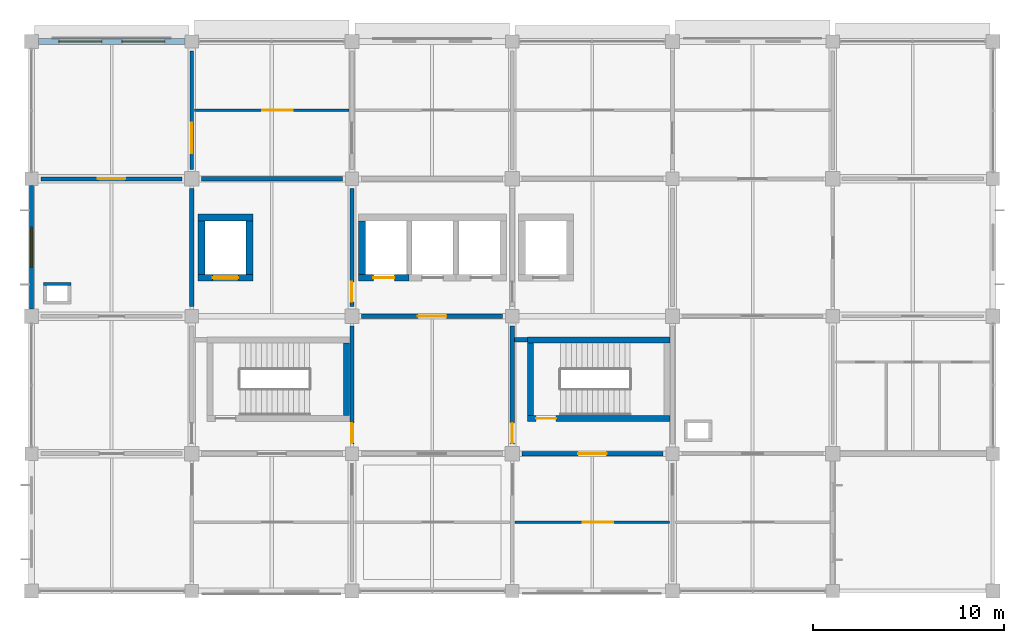
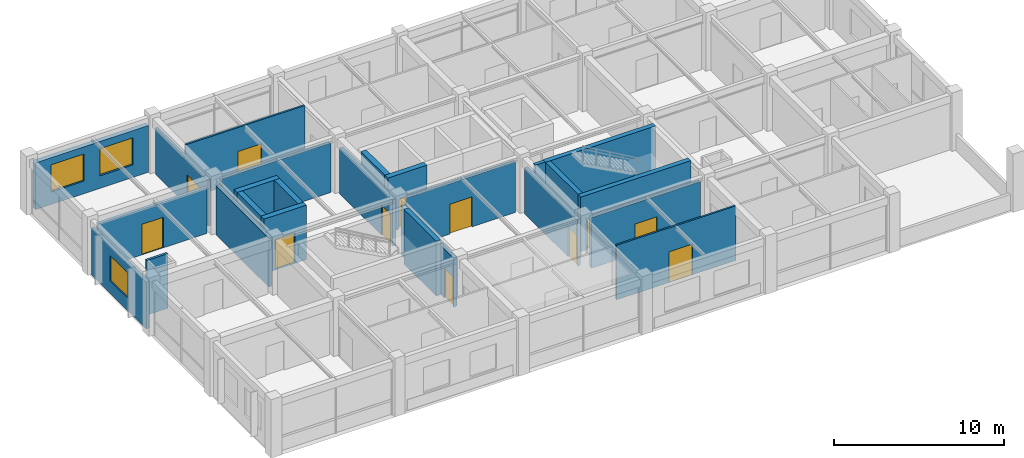
# One storey, part 9 of 14: 25 walls, 12 doors, 3 windows, 15 openings.
"""IFC4 building model written with IfcOpenShell, lengths in metres."""

from ifc_helpers import new_model, si_unit, derived_unit, direction, frame, frame_2d, origin, place, context, subcontext, project, spatial, rectangle, extrude, material, layer, layer_set, type_object, element, fill, save


model = new_model("IFC4")

# Units and contexts
model_context = context("Model", 3, precision=1e-05, world=origin(), true_north=direction((0.0, 1.0)))
body_context = subcontext(model_context, "Body", "Model", "MODEL_VIEW")
ifc_project = project(units=[si_unit("LENGTHUNIT", "METRE"), si_unit("AREAUNIT", "SQUARE_METRE"), si_unit("VOLUMEUNIT", "CUBIC_METRE"), si_unit("PLANEANGLEUNIT", "RADIAN"), si_unit("MASSUNIT", "GRAM", prefix="KILO"), derived_unit("THERMALTRANSMITTANCEUNIT", [(si_unit("MASSUNIT", "GRAM", prefix="KILO"), 1), (si_unit("TIMEUNIT", "SECOND"), -3), (si_unit("THERMODYNAMICTEMPERATUREUNIT", "KELVIN"), -1)])], contexts=[model_context])

# Site, building, storey
site_placement = place(None, origin())
site = spatial("IfcSite", under=ifc_project, at=site_placement, CompositionType="ELEMENT")
building_placement = place(site_placement, origin())
building = spatial("IfcBuilding", under=site, at=building_placement, Name="Veldstrom Oceanarium and Marine Research Institute", CompositionType="ELEMENT")
storey_placement = place(building_placement, frame((0.0, 0.0, 35.39990234375)))
storey = spatial("IfcBuildingStorey", under=building, at=storey_placement, Name="L07", CompositionType="ELEMENT", Elevation=35.39990234375)

# Wall, openings, windows
ifc_material_1 = material(Name="Masonry Cavity Wall", Category="masonry")
ifc_layer_1 = layer(ifc_material_1, 0.31005859375)
ifc_layer_set_1 = layer_set([ifc_layer_1], Name="ARC-WAL-EW1")
wall_type_1 = type_object("IfcWallType", Name="ARC-WAL-EW1", PredefinedType="SOLIDWALL", material=ifc_layer_set_1)
wall_1_placement = place(storey_placement, frame((67.574951171875, 72.0, 0.0), z_axis=(0.0, 0.0, 1.0), x_axis=(1.0, 0.0, 0.0)))
wall_1 = element("IfcWall", 1, at=wall_1_placement, inside=storey, type_object=wall_type_1, Name="Exterior Facade Wall EW1 L07-196", PredefinedType="SOLIDWALL", context=body_context, shape_type="SweptSolid", body=[
    extrude(rectangle(XDim=7.675048828125, YDim=0.31005859375, at=frame_2d((3.83740234375, 0.0))), origin(), (0.0, 0.0, 1.0), 3.364990234375),
])
opening_1_placement = place(wall_1_placement, frame((1.058349609375, 0.0, 0.89990234375)))
opening_1 = element("IfcOpeningElement", 2, at=opening_1_placement, cuts=wall_1, Name="Opening W21", PredefinedType="OPENING", context=body_context, shape_type="SweptSolid", body=[
    extrude(rectangle(XDim=2.25, YDim=1.949951171875, at=frame_2d((1.125, 0.97509765625))), frame((0.0, 0.1650390625, 0.0), z_axis=(0.0, -1.0, 0.0), x_axis=(1.0, 0.0, 0.0)), (0.0, 0.0, 1.0), 0.330078125),
])
opening_2_placement = place(wall_1_placement, frame((4.36669921875, 0.0, 0.89990234375)))
opening_2 = element("IfcOpeningElement", 3, at=opening_2_placement, cuts=wall_1, Name="Opening W21", PredefinedType="OPENING", context=body_context, shape_type="SweptSolid", body=[
    extrude(rectangle(XDim=2.25, YDim=1.949951171875, at=frame_2d((1.125, 0.97509765625))), frame((0.0, 0.1650390625, 0.0), z_axis=(0.0, -1.0, 0.0), x_axis=(1.0, 0.0, 0.0)), (0.0, 0.0, 1.0), 0.330078125),
])
ifc_material_2 = material(Name="Double Glazed Low-E IGU", Category="glass")
window_type_1 = type_object("IfcWindowType", Name="ARC-WIN-W21", PartitioningType="SINGLE_PANEL", PredefinedType="WINDOW", material=ifc_material_2)
window_1_placement = place(opening_1_placement, origin())
window_1 = element("IfcWindow", 4, at=window_1_placement, inside=storey, type_object=window_type_1, Name="Facade Window W21 L07-0163", OverallHeight=1.949951171875, OverallWidth=2.25, PartitioningType="SINGLE_PANEL", PredefinedType="WINDOW", context=body_context, shape_type="SweptSolid", body=[
    extrude(rectangle(XDim=2.25, YDim=1.949951171875, at=frame_2d((1.125, 0.97509765625))), frame((0.0, 0.030029296875, 0.0), z_axis=(0.0, -1.0, 0.0), x_axis=(1.0, 0.0, 0.0)), (0.0, 0.0, 1.0), 0.06005859375),
])
fill(opening_1, window_1)
window_2_placement = place(opening_2_placement, origin())
window_2 = element("IfcWindow", 5, at=window_2_placement, inside=storey, type_object=window_type_1, Name="Facade Window W21 L07-0164", OverallHeight=1.949951171875, OverallWidth=2.25, PartitioningType="SINGLE_PANEL", PredefinedType="WINDOW", context=body_context, shape_type="SweptSolid", body=[
    extrude(rectangle(XDim=2.25, YDim=1.949951171875, at=frame_2d((1.125, 0.97509765625))), frame((0.0, 0.030029296875, 0.0), z_axis=(0.0, -1.0, 0.0), x_axis=(1.0, 0.0, 0.0)), (0.0, 0.0, 1.0), 0.06005859375),
])
fill(opening_2, window_2)

# Wall, opening, window
ifc_material_3 = material(Name="Masonry Cavity Wall", Category="masonry")
ifc_layer_2 = layer(ifc_material_3, 0.215087890625)
ifc_layer_set_2 = layer_set([ifc_layer_2], Name="ARC-WAL-EW6")
wall_type_2 = type_object("IfcWallType", Name="ARC-WAL-EW6", PredefinedType="SOLIDWALL", material=ifc_layer_set_2)
wall_2_placement = place(storey_placement, frame((67.199951171875, 57.97509765625, 0.0), z_axis=(0.0, 0.0, 1.0), x_axis=(0.0, 1.0, 0.0)))
wall_2 = element("IfcWall", 6, at=wall_2_placement, inside=storey, type_object=wall_type_2, Name="Exterior Facade Wall EW6 L07-195", PredefinedType="SOLIDWALL", context=body_context, shape_type="SweptSolid", body=[
    extrude(rectangle(XDim=6.474853515625, YDim=0.215087890625, at=frame_2d((3.2373046875, 0.0))), origin(), (0.0, 0.0, 1.0), 3.364990234375),
])
opening_3_placement = place(wall_2_placement, frame((2.1875, 0.0, 0.89990234375)))
opening_3 = element("IfcOpeningElement", 7, at=opening_3_placement, cuts=wall_2, Name="Opening W02", PredefinedType="OPENING", context=body_context, shape_type="SweptSolid", body=[
    extrude(rectangle(XDim=2.10009765625, YDim=1.800048828125, at=frame_2d((1.050048828125, 0.89990234375))), frame((0.0, 0.117431640625, 0.0), z_axis=(0.0, -1.0, 0.0), x_axis=(1.0, 0.0, 0.0)), (0.0, 0.0, 1.0), 0.235107421875),
])
ifc_material_4 = material(Name="Double Glazed Low-E IGU", Category="glass")
window_type_2 = type_object("IfcWindowType", Name="ARC-WIN-W02", PartitioningType="SINGLE_PANEL", PredefinedType="WINDOW", material=ifc_material_4)
window_3_placement = place(opening_3_placement, origin())
window_3 = element("IfcWindow", 8, at=window_3_placement, inside=storey, type_object=window_type_2, Name="Facade Window W02 L07-0162", OverallHeight=1.800048828125, OverallWidth=2.10009765625, PartitioningType="SINGLE_PANEL", PredefinedType="WINDOW", context=body_context, shape_type="SweptSolid", body=[
    extrude(rectangle(XDim=2.10009765625, YDim=1.800048828125, at=frame_2d((1.050048828125, 0.89990234375))), frame((0.0, 0.030029296875, 0.0), z_axis=(0.0, -1.0, 0.0), x_axis=(1.0, 0.0, 0.0)), (0.0, 0.0, 1.0), 0.06005859375),
])
fill(opening_3, window_3)

# Wall
ifc_material_5 = material(Name="Masonry Fire Compartment Wall", Category="masonry")
ifc_layer_3 = layer(ifc_material_5, 0.22998046875)
ifc_layer_set_3 = layer_set([ifc_layer_3], Name="ARC-WAL-PT1")
wall_type_3 = type_object("IfcWallType", Name="ARC-WAL-PT1", PredefinedType="PARTITIONING", material=ifc_layer_set_3)
wall_3_placement = place(storey_placement, frame((75.60009765625, 58.10009765625, 0.0), z_axis=(0.0, 0.0, 1.0), x_axis=(0.0, 1.0, 0.0)))
element("IfcWall", 9, at=wall_3_placement, inside=storey, type_object=wall_type_3, Name="Interior Partition PT1 L07-1523", PredefinedType="PARTITIONING", context=body_context, shape_type="SweptSolid", body=[
    extrude(rectangle(XDim=6.199951171875, YDim=0.22998046875, at=frame_2d((3.10009765625, 0.0))), origin(), (0.0, 0.0, 1.0), 3.51513671875),
])

# Wall, opening, door
wall_4_placement = place(storey_placement, frame((84.0, 50.89990234375, 0.0), z_axis=(0.0, 0.0, 1.0), x_axis=(0.0, 1.0, 0.0)))
wall_4 = element("IfcWall", 10, at=wall_4_placement, inside=storey, type_object=wall_type_3, Name="Interior Partition PT1 L07-1528", PredefinedType="PARTITIONING", context=body_context, shape_type="SweptSolid", body=[
    extrude(rectangle(XDim=6.2001953125, YDim=0.22998046875, at=frame_2d((3.10009765625, 0.0))), origin(), (0.0, 0.0, 1.0), 3.51513671875),
])
opening_4_placement = place(wall_4_placement, frame((0.050048828125, 0.0, 0.0)))
opening_4 = element("IfcOpeningElement", 11, at=opening_4_placement, cuts=wall_4, Name="Opening D-L07-921", PredefinedType="OPENING", context=body_context, shape_type="SweptSolid", body=[
    extrude(rectangle(XDim=1.050048828125, YDim=2.14990234375, at=frame_2d((0.52490234375, 1.074951171875))), frame((0.0, 0.125, 0.0), z_axis=(0.0, -1.0, 0.0), x_axis=(1.0, 0.0, 0.0)), (0.0, 0.0, 1.0), 0.25),
])
ifc_material_6 = material(Name="Painted Steel Fire Door", Category="steel")
door_type_1 = type_object("IfcDoorType", Name="ARC-DOR-SD1", OperationType="SINGLE_SWING_LEFT", PredefinedType="DOOR", material=ifc_material_6)
door_1_placement = place(opening_4_placement, origin())
door_1 = element("IfcDoor", 12, at=door_1_placement, inside=storey, type_object=door_type_1, Name="Interior Door D-L07-921", OperationType="SINGLE_SWING_LEFT", OverallHeight=2.14990234375, OverallWidth=1.050048828125, PredefinedType="DOOR", context=body_context, shape_type="SweptSolid", body=[
    extrude(rectangle(XDim=1.050048828125, YDim=2.14990234375, at=frame_2d((0.52490234375, 1.074951171875))), frame((0.0, 0.02490234375, 0.0), z_axis=(0.0, -1.0, 0.0), x_axis=(1.0, 0.0, 0.0)), (0.0, 0.0, 1.0), 0.050048828125),
])
fill(opening_4, door_1)

wall_5_placement = place(storey_placement, frame((84.0, 58.10009765625, 0.0), z_axis=(0.0, 0.0, 1.0), x_axis=(0.0, 1.0, 0.0)))
wall_5 = element("IfcWall", 13, at=wall_5_placement, inside=storey, type_object=wall_type_3, Name="Interior Partition PT1 L07-1530", PredefinedType="PARTITIONING", context=body_context, shape_type="SweptSolid", body=[
    extrude(rectangle(XDim=6.199951171875, YDim=0.22998046875, at=frame_2d((3.10009765625, 0.0))), origin(), (0.0, 0.0, 1.0), 3.315185546875),
])
opening_5_placement = place(wall_5_placement, frame((0.25, 0.0, 0.0)))
opening_5 = element("IfcOpeningElement", 14, at=opening_5_placement, cuts=wall_5, Name="Opening D-L07-922", PredefinedType="OPENING", context=body_context, shape_type="SweptSolid", body=[
    extrude(rectangle(XDim=1.050048828125, YDim=2.14990234375, at=frame_2d((0.52490234375, 1.074951171875))), frame((0.0, 0.125, 0.0), z_axis=(0.0, -1.0, 0.0), x_axis=(1.0, 0.0, 0.0)), (0.0, 0.0, 1.0), 0.25),
])
door_2_placement = place(opening_5_placement, frame((1.050048828125, 0.0, 0.0), z_axis=(0.0, 0.0, 1.0), x_axis=(-1.0, 0.0, 0.0)))
door_2 = element("IfcDoor", 15, at=door_2_placement, inside=storey, type_object=door_type_1, Name="Interior Door D-L07-922", OperationType="SINGLE_SWING_RIGHT", OverallHeight=2.14990234375, OverallWidth=1.050048828125, PredefinedType="DOOR", context=body_context, shape_type="SweptSolid", body=[
    extrude(rectangle(XDim=1.050048828125, YDim=2.14990234375, at=frame_2d((0.52490234375, 1.074951171875))), frame((0.0, 0.02490234375, 0.0), z_axis=(0.0, -1.0, 0.0), x_axis=(1.0, 0.0, 0.0)), (0.0, 0.0, 1.0), 0.050048828125),
])
fill(opening_5, door_2)

# Wall
wall_6_placement = place(storey_placement, frame((76.10009765625, 64.800048828125, 0.0), z_axis=(0.0, 0.0, 1.0), x_axis=(1.0, 0.0, 0.0)))
element("IfcWall", 16, at=wall_6_placement, inside=storey, type_object=wall_type_3, Name="Interior Partition PT1 L07-1531", PredefinedType="PARTITIONING", context=body_context, shape_type="SweptSolid", body=[
    extrude(rectangle(XDim=7.39990234375, YDim=0.22998046875, at=frame_2d((3.699951171875, 0.0))), origin(), (0.0, 0.0, 1.0), 3.565185546875),
])

# Wall, opening, door
wall_7_placement = place(storey_placement, frame((92.39990234375, 50.89990234375, 0.0), z_axis=(0.0, 0.0, 1.0), x_axis=(0.0, 1.0, 0.0)))
wall_7 = element("IfcWall", 17, at=wall_7_placement, inside=storey, type_object=wall_type_3, Name="Interior Partition PT1 L07-1535", PredefinedType="PARTITIONING", context=body_context, shape_type="SweptSolid", body=[
    extrude(rectangle(XDim=6.2001953125, YDim=0.22998046875, at=frame_2d((3.10009765625, 0.0))), origin(), (0.0, 0.0, 1.0), 3.315185546875),
])
opening_6_placement = place(wall_7_placement, frame((0.050048828125, 0.0, 0.0)))
opening_6 = element("IfcOpeningElement", 18, at=opening_6_placement, cuts=wall_7, Name="Opening D-L07-926", PredefinedType="OPENING", context=body_context, shape_type="SweptSolid", body=[
    extrude(rectangle(XDim=1.050048828125, YDim=2.14990234375, at=frame_2d((0.52490234375, 1.074951171875))), frame((0.0, 0.125, 0.0), z_axis=(0.0, -1.0, 0.0), x_axis=(1.0, 0.0, 0.0)), (0.0, 0.0, 1.0), 0.25),
])
door_3_placement = place(opening_6_placement, frame((1.050048828125, 0.0, 0.0), z_axis=(0.0, 0.0, 1.0), x_axis=(-1.0, 0.0, 0.0)))
door_3 = element("IfcDoor", 19, at=door_3_placement, inside=storey, type_object=door_type_1, Name="Interior Door D-L07-926", OperationType="SINGLE_SWING_RIGHT", OverallHeight=2.14990234375, OverallWidth=1.050048828125, PredefinedType="DOOR", context=body_context, shape_type="SweptSolid", body=[
    extrude(rectangle(XDim=1.050048828125, YDim=2.14990234375, at=frame_2d((0.52490234375, 1.074951171875))), frame((0.0, 0.02490234375, 0.0), z_axis=(0.0, -1.0, 0.0), x_axis=(1.0, 0.0, 0.0)), (0.0, 0.0, 1.0), 0.050048828125),
])
fill(opening_6, door_3)

wall_8_placement = place(storey_placement, frame((84.5, 57.60009765625, 0.0), z_axis=(0.0, 0.0, 1.0), x_axis=(1.0, 0.0, 0.0)))
wall_8 = element("IfcWall", 20, at=wall_8_placement, inside=storey, type_object=wall_type_3, Name="Interior Partition PT1 L07-1536", PredefinedType="PARTITIONING", context=body_context, shape_type="SweptSolid", body=[
    extrude(rectangle(XDim=7.39990234375, YDim=0.22998046875, at=frame_2d((3.699951171875, 0.0))), origin(), (0.0, 0.0, 1.0), 3.625),
])
opening_7_placement = place(wall_8_placement, frame((2.949951171875, 0.0, 0.0)))
opening_7 = element("IfcOpeningElement", 21, at=opening_7_placement, cuts=wall_8, Name="Opening D-L07-927", PredefinedType="OPENING", context=body_context, shape_type="SweptSolid", body=[
    extrude(rectangle(XDim=1.5, YDim=2.14990234375, at=frame_2d((0.75, 1.074951171875))), frame((0.0, 0.125, 0.0), z_axis=(0.0, -1.0, 0.0), x_axis=(1.0, 0.0, 0.0)), (0.0, 0.0, 1.0), 0.25),
])
ifc_material_7 = material(Name="Painted Steel Lobby Fire Door", Category="steel")
door_type_2 = type_object("IfcDoorType", Name="ARC-DOR-SD2", OperationType="DOUBLE_DOOR_SINGLE_SWING", PredefinedType="DOOR", material=ifc_material_7)
door_4_placement = place(opening_7_placement, origin())
door_4 = element("IfcDoor", 22, at=door_4_placement, inside=storey, type_object=door_type_2, Name="Interior Door D-L07-927", OperationType="DOUBLE_DOOR_SINGLE_SWING", OverallHeight=2.14990234375, OverallWidth=1.5, PredefinedType="DOOR", context=body_context, shape_type="SweptSolid", body=[
    extrude(rectangle(XDim=1.5, YDim=2.14990234375, at=frame_2d((0.75, 1.074951171875))), frame((0.0, 0.02490234375, 0.0), z_axis=(0.0, -1.0, 0.0), x_axis=(1.0, 0.0, 0.0)), (0.0, 0.0, 1.0), 0.050048828125),
])
fill(opening_7, door_4)

wall_9_placement = place(storey_placement, frame((92.89990234375, 50.39990234375, 0.0), z_axis=(0.0, 0.0, 1.0), x_axis=(1.0, 0.0, 0.0)))
wall_9 = element("IfcWall", 23, at=wall_9_placement, inside=storey, type_object=wall_type_3, Name="Interior Partition PT1 L07-1541", PredefinedType="PARTITIONING", context=body_context, shape_type="SweptSolid", body=[
    extrude(rectangle(XDim=7.400146484375, YDim=0.22998046875, at=frame_2d((3.7001953125, 0.0))), origin(), (0.0, 0.0, 1.0), 3.64501953125),
])
opening_8_placement = place(wall_9_placement, frame((2.949951171875, 0.0, 0.0)))
opening_8 = element("IfcOpeningElement", 24, at=opening_8_placement, cuts=wall_9, Name="Opening D-L07-930", PredefinedType="OPENING", context=body_context, shape_type="SweptSolid", body=[
    extrude(rectangle(XDim=1.5, YDim=2.14990234375, at=frame_2d((0.75, 1.074951171875))), frame((0.0, 0.125, 0.0), z_axis=(0.0, -1.0, 0.0), x_axis=(1.0, 0.0, 0.0)), (0.0, 0.0, 1.0), 0.25),
])
door_5_placement = place(opening_8_placement, frame((1.5, 0.0, 0.0), z_axis=(0.0, 0.0, 1.0), x_axis=(-1.0, 0.0, 0.0)))
door_5 = element("IfcDoor", 25, at=door_5_placement, inside=storey, type_object=door_type_2, Name="Interior Door D-L07-930", OperationType="DOUBLE_DOOR_SINGLE_SWING", OverallHeight=2.14990234375, OverallWidth=1.5, PredefinedType="DOOR", context=body_context, shape_type="SweptSolid", body=[
    extrude(rectangle(XDim=1.5, YDim=2.14990234375, at=frame_2d((0.75, 1.074951171875))), frame((0.0, 0.02490234375, 0.0), z_axis=(0.0, -1.0, 0.0), x_axis=(1.0, 0.0, 0.0)), (0.0, 0.0, 1.0), 0.050048828125),
])
fill(opening_8, door_5)

# Wall
wall_10_placement = place(storey_placement, frame((92.52001953125, 56.360107421875, 0.0), z_axis=(0.0, 0.0, 1.0), x_axis=(1.0, 0.0, 0.0)))
element("IfcWall", 26, at=wall_10_placement, inside=storey, type_object=wall_type_3, Name="Interior Partition PT1 L07-1543", PredefinedType="PARTITIONING", context=body_context, shape_type="SweptSolid", body=[
    extrude(rectangle(XDim=0.679931640625, YDim=0.22998046875, at=frame_2d((0.33984375, 0.0))), origin(), (0.0, 0.0, 1.0), 3.920166015625),
])

# Wall, opening, door
ifc_material_8 = material(Name="Gypsum Acoustic Lab Partition", Category="gypsum")
ifc_layer_4 = layer(ifc_material_8, 0.1201171875)
ifc_layer_set_4 = layer_set([ifc_layer_4], Name="ARC-WAL-PT10")
wall_type_4 = type_object("IfcWallType", Name="ARC-WAL-PT10", PredefinedType="PARTITIONING", material=ifc_layer_set_4)
wall_11_placement = place(storey_placement, frame((92.550048828125, 46.800048828125, 0.0), z_axis=(0.0, 0.0, 1.0), x_axis=(1.0, 0.0, 0.0)))
wall_11 = element("IfcWall", 27, at=wall_11_placement, inside=storey, type_object=wall_type_4, Name="Laboratory Suite Partition L07-11/6", PredefinedType="PARTITIONING", context=body_context, shape_type="SweptSolid", body=[
    extrude(rectangle(XDim=8.099853515625, YDim=0.1201171875, at=frame_2d((4.0498046875, 0.0))), origin(), (0.0, 0.0, 1.0), 3.920166015625),
])
opening_9_placement = place(wall_11_placement, frame((3.550048828125, 0.0, 0.0)))
opening_9 = element("IfcOpeningElement", 28, at=opening_9_placement, cuts=wall_11, Name="Opening D-L07-S907", PredefinedType="OPENING", context=body_context, shape_type="SweptSolid", body=[
    extrude(rectangle(XDim=1.60009765625, YDim=2.199951171875, at=frame_2d((0.800048828125, 1.10009765625))), frame((0.0, 0.070068359375, 0.0), z_axis=(0.0, -1.0, 0.0), x_axis=(1.0, 0.0, 0.0)), (0.0, 0.0, 1.0), 0.14013671875),
])
ifc_material_9 = material(Name="Acoustic Timber Corridor Door", Category="wood")
door_type_3 = type_object("IfcDoorType", Name="ARC-DOR-ID02", OperationType="DOUBLE_DOOR_SINGLE_SWING", PredefinedType="DOOR", material=ifc_material_9)
door_6_placement = place(opening_9_placement, frame((1.60009765625, 0.0, 0.0), z_axis=(0.0, 0.0, 1.0), x_axis=(-1.0, 0.0, 0.0)))
door_6 = element("IfcDoor", 29, at=door_6_placement, inside=storey, type_object=door_type_3, Name="Suite Interior Door D-L07-S907", OperationType="SINGLE_SWING_RIGHT", OverallHeight=2.199951171875, OverallWidth=1.60009765625, PredefinedType="DOOR", context=body_context, shape_type="SweptSolid", body=[
    extrude(rectangle(XDim=1.60009765625, YDim=2.199951171875, at=frame_2d((0.800048828125, 1.10009765625))), frame((0.0, 0.02490234375, 0.0), z_axis=(0.0, -1.0, 0.0), x_axis=(1.0, 0.0, 0.0)), (0.0, 0.0, 1.0), 0.050048828125),
])
fill(opening_9, door_6)

wall_12_placement = place(storey_placement, frame((75.75, 68.39990234375, 0.0), z_axis=(0.0, 0.0, 1.0), x_axis=(1.0, 0.0, 0.0)))
wall_12 = element("IfcWall", 30, at=wall_12_placement, inside=storey, type_object=wall_type_4, Name="Laboratory Suite Partition L07-9/9", PredefinedType="PARTITIONING", context=body_context, shape_type="SweptSolid", body=[
    extrude(rectangle(XDim=8.10009765625, YDim=0.1201171875, at=frame_2d((4.050048828125, 0.0))), origin(), (0.0, 0.0, 1.0), 3.920166015625),
])
opening_10_placement = place(wall_12_placement, frame((3.550048828125, 0.0, 0.0)))
opening_10 = element("IfcOpeningElement", 31, at=opening_10_placement, cuts=wall_12, Name="Opening D-L07-S909", PredefinedType="OPENING", context=body_context, shape_type="SweptSolid", body=[
    extrude(rectangle(XDim=1.60009765625, YDim=2.199951171875, at=frame_2d((0.800048828125, 1.10009765625))), frame((0.0, 0.070068359375, 0.0), z_axis=(0.0, -1.0, 0.0), x_axis=(1.0, 0.0, 0.0)), (0.0, 0.0, 1.0), 0.14013671875),
])
door_7_placement = place(opening_10_placement, origin())
door_7 = element("IfcDoor", 32, at=door_7_placement, inside=storey, type_object=door_type_3, Name="Suite Interior Door D-L07-S909", OperationType="SINGLE_SWING_LEFT", OverallHeight=2.199951171875, OverallWidth=1.60009765625, PredefinedType="DOOR", context=body_context, shape_type="SweptSolid", body=[
    extrude(rectangle(XDim=1.60009765625, YDim=2.199951171875, at=frame_2d((0.800048828125, 1.10009765625))), frame((0.0, 0.02490234375, 0.0), z_axis=(0.0, -1.0, 0.0), x_axis=(1.0, 0.0, 0.0)), (0.0, 0.0, 1.0), 0.050048828125),
])
fill(opening_10, door_7)

ifc_material_10 = material(Name="Masonry Acoustic Lab Partition", Category="masonry")
ifc_layer_5 = layer(ifc_material_10, 0.205078125)
ifc_layer_set_5 = layer_set([ifc_layer_5], Name="ARC-WAL-PT2")
wall_type_5 = type_object("IfcWallType", Name="ARC-WAL-PT2", PredefinedType="PARTITIONING", material=ifc_layer_set_5)
wall_13_placement = place(storey_placement, frame((67.699951171875, 64.800048828125, 0.0), z_axis=(0.0, 0.0, 1.0), x_axis=(1.0, 0.0, 0.0)))
wall_13 = element("IfcWall", 33, at=wall_13_placement, inside=storey, type_object=wall_type_5, Name="Interior Partition PT2 L07-1524", PredefinedType="PARTITIONING", context=body_context, shape_type="SweptSolid", body=[
    extrude(rectangle(XDim=7.400146484375, YDim=0.205078125, at=frame_2d((3.7001953125, 0.0))), origin(), (0.0, 0.0, 1.0), 3.26513671875),
])
opening_11_placement = place(wall_13_placement, frame((2.97509765625, 0.0, 0.0)))
opening_11 = element("IfcOpeningElement", 34, at=opening_11_placement, cuts=wall_13, Name="Opening D-L07-917", PredefinedType="OPENING", context=body_context, shape_type="SweptSolid", body=[
    extrude(rectangle(XDim=1.449951171875, YDim=2.199951171875, at=frame_2d((0.72509765625, 1.10009765625))), frame((0.0, 0.112548828125, 0.0), z_axis=(0.0, -1.0, 0.0), x_axis=(1.0, 0.0, 0.0)), (0.0, 0.0, 1.0), 0.22509765625),
])
ifc_material_11 = material(Name="Curatorial Archive Door", Category="timber")
door_type_4 = type_object("IfcDoorType", Name="ARC-DOR-ID14", OperationType="DOUBLE_DOOR_SINGLE_SWING", PredefinedType="DOOR", material=ifc_material_11)
door_8_placement = place(opening_11_placement, frame((1.449951171875, 0.0, 0.0), z_axis=(0.0, 0.0, 1.0), x_axis=(-1.0, 0.0, 0.0)))
door_8 = element("IfcDoor", 35, at=door_8_placement, inside=storey, type_object=door_type_4, Name="Interior Door D-L07-917", OperationType="DOUBLE_DOOR_SINGLE_SWING", OverallHeight=2.199951171875, OverallWidth=1.449951171875, PredefinedType="DOOR", context=body_context, shape_type="SweptSolid", body=[
    extrude(rectangle(XDim=1.449951171875, YDim=2.199951171875, at=frame_2d((0.72509765625, 1.10009765625))), frame((0.0, 0.02490234375, 0.0), z_axis=(0.0, -1.0, 0.0), x_axis=(1.0, 0.0, 0.0)), (0.0, 0.0, 1.0), 0.050048828125),
])
fill(opening_11, door_8)

ifc_material_12 = material(Name="Drywall Acoustic Partition", Category="gypsum")
ifc_layer_6 = layer(ifc_material_12, 0.175048828125)
ifc_layer_set_6 = layer_set([ifc_layer_6], Name="ARC-WAL-PT3")
wall_type_6 = type_object("IfcWallType", Name="ARC-WAL-PT3", PredefinedType="PARTITIONING", material=ifc_layer_set_6)
wall_14_placement = place(storey_placement, frame((75.60009765625, 65.300048828125, 0.0), z_axis=(0.0, 0.0, 1.0), x_axis=(0.0, 1.0, 0.0)))
wall_14 = element("IfcWall", 36, at=wall_14_placement, inside=storey, type_object=wall_type_6, Name="Interior Partition PT3 L07-1525", PredefinedType="PARTITIONING", context=body_context, shape_type="SweptSolid", body=[
    extrude(rectangle(XDim=6.199951171875, YDim=0.175048828125, at=frame_2d((3.10009765625, 0.0))), origin(), (0.0, 0.0, 1.0), 3.315185546875),
])
opening_12_placement = place(wall_14_placement, frame((0.85009765625, 0.0, 0.0)))
opening_12 = element("IfcOpeningElement", 37, at=opening_12_placement, cuts=wall_14, Name="Opening D-L07-918", PredefinedType="OPENING", context=body_context, shape_type="SweptSolid", body=[
    extrude(rectangle(XDim=1.60009765625, YDim=2.199951171875, at=frame_2d((0.800048828125, 1.10009765625))), frame((0.0, 0.097412109375, 0.0), z_axis=(0.0, -1.0, 0.0), x_axis=(1.0, 0.0, 0.0)), (0.0, 0.0, 1.0), 0.195068359375),
])
door_9_placement = place(opening_12_placement, frame((1.60009765625, 0.0, 0.0), z_axis=(0.0, 0.0, 1.0), x_axis=(-1.0, 0.0, 0.0)))
door_9 = element("IfcDoor", 38, at=door_9_placement, inside=storey, type_object=door_type_3, Name="Interior Door D-L07-918", OperationType="DOUBLE_DOOR_SINGLE_SWING", OverallHeight=2.199951171875, OverallWidth=1.60009765625, PredefinedType="DOOR", context=body_context, shape_type="SweptSolid", body=[
    extrude(rectangle(XDim=1.60009765625, YDim=2.199951171875, at=frame_2d((0.800048828125, 1.10009765625))), frame((0.0, 0.02490234375, 0.0), z_axis=(0.0, -1.0, 0.0), x_axis=(1.0, 0.0, 0.0)), (0.0, 0.0, 1.0), 0.050048828125),
])
fill(opening_12, door_9)

# Walls
ifc_material_13 = material(Name="Service Riser Fire Shaft Wall", Category="masonry")
ifc_layer_7 = layer(ifc_material_13, 0.1650390625)
ifc_layer_set_7 = layer_set([ifc_layer_7], Name="ARC-WAL-PT9")
wall_type_7 = type_object("IfcWallType", Name="ARC-WAL-PT9", PredefinedType="PARTITIONING", material=ifc_layer_set_7)
wall_15_placement = place(storey_placement, frame((67.8349609375, 59.282470703125, 0.0), z_axis=(0.0, 0.0, 1.0), x_axis=(1.0, 0.0, 0.0)))
element("IfcWall", 39, at=wall_15_placement, inside=storey, type_object=wall_type_7, Name="Service Riser Fire Shaft Wall L07-CW-N", PredefinedType="PARTITIONING", context=body_context, shape_type="SweptSolid", body=[
    extrude(rectangle(XDim=1.429931640625, YDim=0.1650390625, at=frame_2d((0.71484375, 0.0))), origin(), (0.0, 0.0, 1.0), 3.920166015625),
])
ifc_material_14 = material(Name="Concrete C40/50", Category="concrete")
ifc_layer_8 = layer(ifc_material_14, 0.360107421875)
ifc_layer_set_8 = layer_set([ifc_layer_8], Name="STR-WAL-WC2")
wall_type_8 = type_object("IfcWallType", Name="STR-WAL-WC2", PredefinedType="SHEAR", material=ifc_layer_set_8)
wall_16_placement = place(storey_placement, frame((75.93994140625, 62.780029296875, 0.0), z_axis=(0.0, 0.0, 1.0), x_axis=(1.0, 0.0, 0.0)))
element("IfcWall", 40, at=wall_16_placement, inside=storey, type_object=wall_type_8, Name="Lift Shaft Shear Wall N L07 9/8", PredefinedType="SHEAR", context=body_context, shape_type="SweptSolid", body=[
    extrude(rectangle(XDim=2.8701171875, YDim=0.360107421875, at=frame_2d((1.43505859375, 0.0))), origin(), (0.0, 0.0, 1.0), 3.920166015625),
])

# Wall, opening, door
wall_17_placement = place(storey_placement, frame((75.93994140625, 59.6201171875, 0.0), z_axis=(0.0, 0.0, 1.0), x_axis=(1.0, 0.0, 0.0)))
wall_17 = element("IfcWall", 41, at=wall_17_placement, inside=storey, type_object=wall_type_8, Name="Lift Shaft Front Shear Wall LF1 L07", PredefinedType="SHEAR", context=body_context, shape_type="SweptSolid", body=[
    extrude(rectangle(XDim=2.8701171875, YDim=0.360107421875, at=frame_2d((1.43505859375, 0.0))), origin(), (0.0, 0.0, 1.0), 3.920166015625),
])
opening_13_placement = place(wall_17_placement, frame((0.760009765625, 0.0, 0.0)))
opening_13 = element("IfcOpeningElement", 42, at=opening_13_placement, cuts=wall_17, Name="Opening LD-LF1-L07", PredefinedType="OPENING", context=body_context, shape_type="SweptSolid", body=[
    extrude(rectangle(XDim=1.35009765625, YDim=2.199951171875, at=frame_2d((0.675048828125, 1.10009765625))), frame((0.0, 0.18994140625, 0.0), z_axis=(0.0, -1.0, 0.0), x_axis=(1.0, 0.0, 0.0)), (0.0, 0.0, 1.0), 0.380126953125),
])
ifc_material_15 = material(Name="Stainless Steel Lift Landing Door", Category="steel")
door_type_5 = type_object("IfcDoorType", Name="ARC-DOR-LD3", OperationType="DOUBLE_DOOR_SLIDING", PredefinedType="DOOR", material=ifc_material_15)
door_10_placement = place(opening_13_placement, origin())
door_10 = element("IfcDoor", 43, at=door_10_placement, inside=storey, type_object=door_type_5, Name="Lift Landing Door LD-LF1-L07", OperationType="DOUBLE_DOOR_SLIDING", OverallHeight=2.199951171875, OverallWidth=1.35009765625, PredefinedType="DOOR", context=body_context, shape_type="SweptSolid", body=[
    extrude(rectangle(XDim=1.35009765625, YDim=2.199951171875, at=frame_2d((0.675048828125, 1.10009765625))), frame((0.0, 0.02490234375, 0.0), z_axis=(0.0, -1.0, 0.0), x_axis=(1.0, 0.0, 0.0)), (0.0, 0.0, 1.0), 0.050048828125),
])
fill(opening_13, door_10)

# Walls
for number, where, z_axis, x_axis, name in (
    (44, (76.1201171875, 59.800048828125, 0.0), (0.0, 0.0, 1.0), (0.0, 1.0, 0.0), "Lift Shaft Shear Wall W L07 9/8"),
    (45, (78.6298828125, 59.800048828125, 0.0), (0.0, 0.0, 1.0), (0.0, 1.0, 0.0), "Lift Shaft Shear Wall E L07 9/8"),
):
    element("IfcWall", number, at=place(storey_placement, frame(where, z_axis=z_axis, x_axis=x_axis)), inside=storey, type_object=wall_type_8, Name=name, PredefinedType="SHEAR", context=body_context, shape_type="SweptSolid", body=[
        extrude(rectangle(XDim=2.800048828125, YDim=0.360107421875, at=frame_2d((1.39990234375, 0.0))), origin(), (0.0, 0.0, 1.0), 3.920166015625),
    ])

# Wall, opening, door
wall_18_placement = place(storey_placement, frame((84.340087890625, 59.6201171875, 0.0), z_axis=(0.0, 0.0, 1.0), x_axis=(1.0, 0.0, 0.0)))
wall_18 = element("IfcWall", 46, at=wall_18_placement, inside=storey, type_object=wall_type_8, Name="Lift Shaft Front Shear Wall LP1 L07", PredefinedType="SHEAR", context=body_context, shape_type="SweptSolid", body=[
    extrude(rectangle(XDim=2.659912109375, YDim=0.360107421875, at=frame_2d((1.330078125, 0.0))), origin(), (0.0, 0.0, 1.0), 3.920166015625),
])
opening_14_placement = place(wall_18_placement, frame((0.780029296875, 0.0, 0.0)))
opening_14 = element("IfcOpeningElement", 47, at=opening_14_placement, cuts=wall_18, Name="Opening LD-LP1-L07", PredefinedType="OPENING", context=body_context, shape_type="SweptSolid", body=[
    extrude(rectangle(XDim=1.10009765625, YDim=2.14990234375, at=frame_2d((0.550048828125, 1.074951171875))), frame((0.0, 0.18994140625, 0.0), z_axis=(0.0, -1.0, 0.0), x_axis=(1.0, 0.0, 0.0)), (0.0, 0.0, 1.0), 0.380126953125),
])
ifc_material_16 = material(Name="Stainless Steel Lift Landing Door", Category="steel")
door_type_6 = type_object("IfcDoorType", Name="ARC-DOR-LD1", OperationType="DOUBLE_DOOR_SLIDING", PredefinedType="DOOR", material=ifc_material_16)
door_11_placement = place(opening_14_placement, origin())
door_11 = element("IfcDoor", 48, at=door_11_placement, inside=storey, type_object=door_type_6, Name="Lift Landing Door LD-LP1-L07", OperationType="DOUBLE_DOOR_SLIDING", OverallHeight=2.14990234375, OverallWidth=1.10009765625, PredefinedType="DOOR", context=body_context, shape_type="SweptSolid", body=[
    extrude(rectangle(XDim=1.10009765625, YDim=2.14990234375, at=frame_2d((0.550048828125, 1.074951171875))), frame((0.0, 0.02490234375, 0.0), z_axis=(0.0, -1.0, 0.0), x_axis=(1.0, 0.0, 0.0)), (0.0, 0.0, 1.0), 0.050048828125),
])
fill(opening_14, door_11)

# Walls
wall_19_placement = place(storey_placement, frame((84.52001953125, 59.800048828125, 0.0), z_axis=(0.0, 0.0, 1.0), x_axis=(0.0, 1.0, 0.0)))
element("IfcWall", 49, at=wall_19_placement, inside=storey, type_object=wall_type_8, Name="Lift Shaft Shear Wall W L07 10/8", PredefinedType="SHEAR", context=body_context, shape_type="SweptSolid", body=[
    extrude(rectangle(XDim=2.800048828125, YDim=0.360107421875, at=frame_2d((1.39990234375, 0.0))), origin(), (0.0, 0.0, 1.0), 3.920166015625),
])
ifc_material_17 = material(Name="Concrete C40/50", Category="concrete")
ifc_layer_9 = layer(ifc_material_17, 0.320068359375)
ifc_layer_set_9 = layer_set([ifc_layer_9], Name="STR-WAL-WC3")
wall_type_9 = type_object("IfcWallType", Name="STR-WAL-WC3", PredefinedType="SHEAR", material=ifc_layer_set_9)
wall_20_placement = place(storey_placement, frame((83.719970703125, 52.39990234375, 0.0), z_axis=(0.0, 0.0, 1.0), x_axis=(0.0, 1.0, 0.0)))
element("IfcWall", 50, at=wall_20_placement, inside=storey, type_object=wall_type_9, Name="Stair Core Shear Wall SC1-L07-E", PredefinedType="SHEAR", context=body_context, shape_type="SweptSolid", body=[
    extrude(rectangle(XDim=3.800048828125, YDim=0.320068359375, at=frame_2d((1.89990234375, 0.0))), origin(), (0.0, 0.0, 1.0), 3.920166015625),
])

# Wall, opening, door
wall_21_placement = place(storey_placement, frame((93.199951171875, 52.239990234375, 0.0), z_axis=(0.0, 0.0, 1.0), x_axis=(1.0, 0.0, 0.0)))
wall_21 = element("IfcWall", 51, at=wall_21_placement, inside=storey, type_object=wall_type_9, Name="Stair Core Shear Wall SC2-L07-S", PredefinedType="SHEAR", context=body_context, shape_type="SweptSolid", body=[
    extrude(rectangle(XDim=7.47998046875, YDim=0.320068359375, at=frame_2d((3.739990234375, 0.0))), origin(), (0.0, 0.0, 1.0), 3.920166015625),
])
opening_15_placement = place(wall_21_placement, frame((0.449951171875, 0.0, 0.0)))
opening_15 = element("IfcOpeningElement", 52, at=opening_15_placement, cuts=wall_21, Name="Opening D-ST2-L07", PredefinedType="OPENING", context=body_context, shape_type="SweptSolid", body=[
    extrude(rectangle(XDim=1.050048828125, YDim=2.14990234375, at=frame_2d((0.52490234375, 1.074951171875))), frame((0.0, 0.169921875, 0.0), z_axis=(0.0, -1.0, 0.0), x_axis=(1.0, 0.0, 0.0)), (0.0, 0.0, 1.0), 0.340087890625),
])
door_12_placement = place(opening_15_placement, origin())
door_12 = element("IfcDoor", 53, at=door_12_placement, inside=storey, type_object=door_type_1, Name="Escape Stair Fire Door D-ST2-L07", OperationType="SINGLE_SWING_LEFT", OverallHeight=2.14990234375, OverallWidth=1.050048828125, PredefinedType="DOOR", context=body_context, shape_type="SweptSolid", body=[
    extrude(rectangle(XDim=1.050048828125, YDim=2.14990234375, at=frame_2d((0.52490234375, 1.074951171875))), frame((0.0, 0.02490234375, 0.0), z_axis=(0.0, -1.0, 0.0), x_axis=(1.0, 0.0, 0.0)), (0.0, 0.0, 1.0), 0.050048828125),
])
fill(opening_15, door_12)

# Walls
wall_22_placement = place(storey_placement, frame((93.199951171875, 56.360107421875, 0.0), z_axis=(0.0, 0.0, 1.0), x_axis=(1.0, 0.0, 0.0)))
element("IfcWall", 54, at=wall_22_placement, inside=storey, type_object=wall_type_9, Name="Stair Core Shear Wall SC2-L07-N", PredefinedType="SHEAR", context=body_context, shape_type="SweptSolid", body=[
    extrude(rectangle(XDim=7.47998046875, YDim=0.320068359375, at=frame_2d((3.739990234375, 0.0))), origin(), (0.0, 0.0, 1.0), 3.920166015625),
])
wall_23_placement = place(storey_placement, frame((93.360107421875, 52.39990234375, 0.0), z_axis=(0.0, 0.0, 1.0), x_axis=(0.0, 1.0, 0.0)))
element("IfcWall", 55, at=wall_23_placement, inside=storey, type_object=wall_type_9, Name="Stair Core Shear Wall SC2-L07-W", PredefinedType="SHEAR", context=body_context, shape_type="SweptSolid", body=[
    extrude(rectangle(XDim=3.800048828125, YDim=0.320068359375, at=frame_2d((1.89990234375, 0.0))), origin(), (0.0, 0.0, 1.0), 3.920166015625),
])

save(model, "model.ifc")
